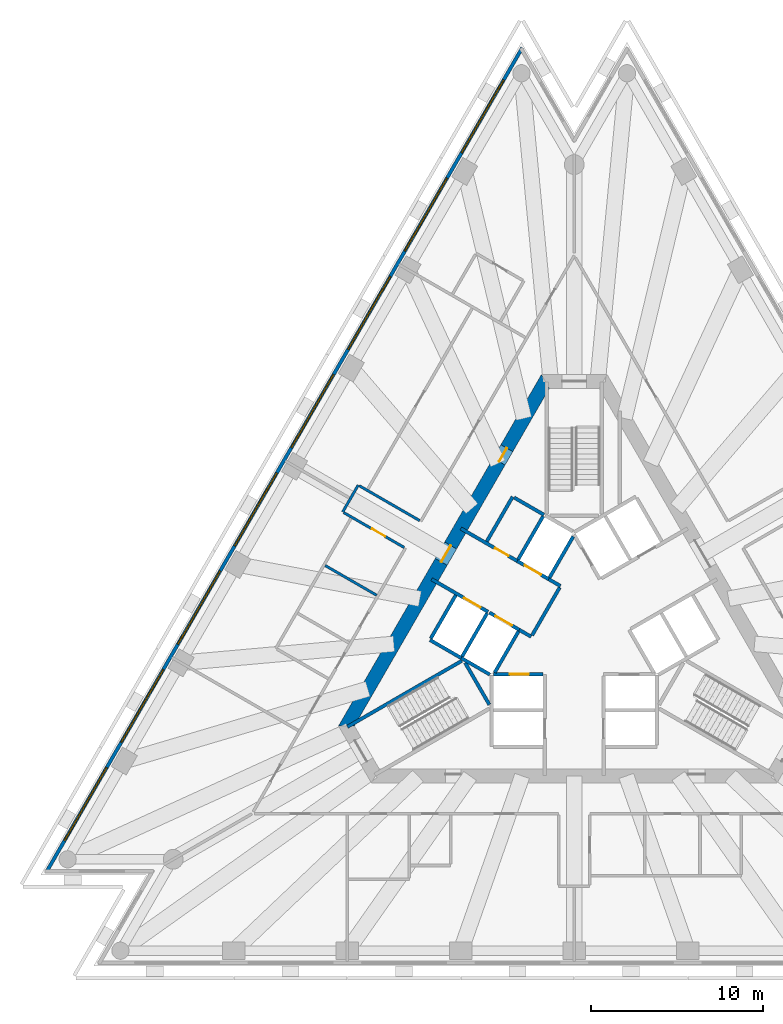
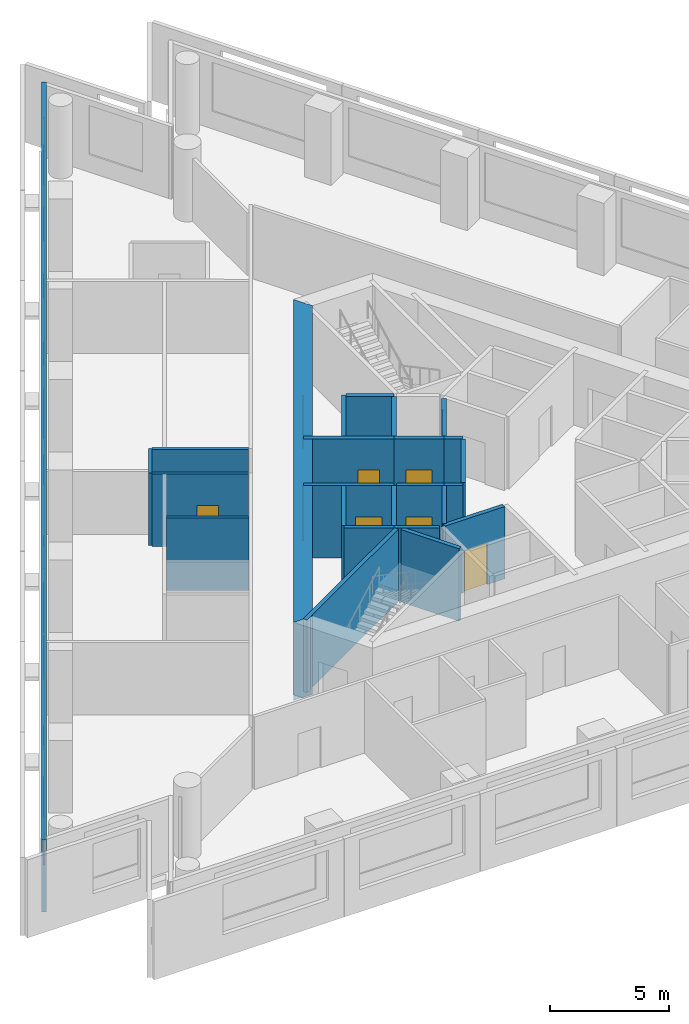
# One storey, part 4 of 10: 25 walls, 8 doors, 8 windows, 16 openings.
"""IFC4 building model written with IfcOpenShell, lengths in metres."""

from ifc_helpers import new_model, si_unit, direction, frame, frame_2d, origin, place, context, subcontext, project, spatial, polyline, rectangle, outline, extrude, material, layer, layer_set, layer_usage, type_object, element, fill, save


model = new_model("IFC4")

# Units and contexts
model_context = context("Model", 3, precision=1e-05, world=origin(), true_north=direction((0.0, 1.0)))
body_context = subcontext(model_context, "Body", "Model", "MODEL_VIEW")
ifc_project = project(units=[si_unit("LENGTHUNIT", "METRE"), si_unit("AREAUNIT", "SQUARE_METRE"), si_unit("VOLUMEUNIT", "CUBIC_METRE"), si_unit("PLANEANGLEUNIT", "RADIAN"), si_unit("MASSUNIT", "GRAM", prefix="KILO")], contexts=[model_context])

# Site, building, storey
site_placement = place(None, origin())
site = spatial("IfcSite", under=ifc_project, at=site_placement, CompositionType="ELEMENT")
building_placement = place(site_placement, origin())
building = spatial("IfcBuilding", under=site, at=building_placement, Name="Triada Interchange Tower", CompositionType="ELEMENT")
storey_placement = place(building_placement, frame((0.0, 0.0, 156.300048828125)))
storey = spatial("IfcBuildingStorey", under=building, at=storey_placement, Name="L36", CompositionType="ELEMENT", Elevation=156.300048828125)

# Walls
ifc_material_1 = material(Name="Concrete C30/37", Category="concrete")
ifc_layer_1 = layer(ifc_material_1, 0.199951171875)
ifc_layer_set_1 = layer_set([ifc_layer_1], Name="CORE WALL 200 EI 120")
wall_type_1 = type_object("IfcWallType", Name="CORE WALL 200 EI 120", PredefinedType="SOLIDWALL", material=ifc_layer_set_1)
wall_1_placement = place(storey_placement, frame((-8.3759765625, -0.70703125, 0.0), z_axis=(0.0, 0.0, 1.0), x_axis=(0.866067520717, -0.499927044236, 0.0)))
element("IfcWall", 1, at=wall_1_placement, inside=storey, type_object=wall_type_1, Name="Wall L35 51", PredefinedType="SOLIDWALL", context=body_context, shape_type="SweptSolid", body=[
    extrude(rectangle(XDim=2.100341796875, YDim=0.199951171875, at=frame_2d((1.05029296875, 0.0))), origin(), (0.0, 0.0, 1.0), 3.699951171875),
])
wall_2_placement = place(storey_placement, frame((-8.325927734375, -0.6201171875, 0.0), z_axis=(0.0, 0.0, 1.0), x_axis=(0.500023687443, 0.866011727401, 0.0)))
element("IfcWall", 2, at=wall_2_placement, inside=storey, type_object=wall_type_1, Name="Wall L35 52", PredefinedType="SOLIDWALL", context=body_context, shape_type="SweptSolid", body=[
    extrude(rectangle(XDim=2.899658203125, YDim=0.199951171875, at=frame_2d((1.44970703125, 0.0))), origin(), (0.0, 0.0, 1.0), 3.699951171875),
])

# Wall, opening, door
wall_3_placement = place(storey_placement, frame((-4.676025390625, -2.699951171875, 0.0), z_axis=(0.0, 0.0, 1.0), x_axis=(1.0, 0.0, 0.0)))
wall_3 = element("IfcWall", 3, at=wall_3_placement, inside=storey, type_object=wall_type_1, Name="Wall L35 59", PredefinedType="SOLIDWALL", context=body_context, shape_type="SweptSolid", body=[
    extrude(rectangle(XDim=2.873046875, YDim=0.199951171875, at=frame_2d((1.4365234375, 0.0))), origin(), (0.0, 0.0, 1.0), 3.699951171875),
])
opening_1_placement = place(wall_3_placement, frame((0.93701171875, 0.0, 0.0)))
opening_1 = element("IfcOpeningElement", 4, at=opening_1_placement, cuts=wall_3, Name="Opening LD-LR3", PredefinedType="OPENING", context=body_context, shape_type="SweptSolid", body=[
    extrude(rectangle(XDim=1.10009765625, YDim=2.10009765625, at=frame_2d((0.550048828125, 1.050048828125))), frame((0.0, 0.10986328125, 0.0), z_axis=(0.0, -1.0, 0.0), x_axis=(1.0, 0.0, 0.0)), (0.0, 0.0, 1.0), 0.219970703125),
])
ifc_material_2 = material(Name="Steel S235 door leaf", Category="steel")
door_type_1 = type_object("IfcDoorType", Name="LIFT LANDING DOOR 1100 EI 120", OperationType="SLIDING_TO_LEFT", PredefinedType="DOOR", material=ifc_material_2)
door_1_placement = place(opening_1_placement, origin())
door_1 = element("IfcDoor", 5, at=door_1_placement, inside=storey, type_object=door_type_1, Name="LR3 landing door L36", OperationType="SLIDING_TO_LEFT", OverallHeight=2.10009765625, OverallWidth=1.10009765625, PredefinedType="DOOR", context=body_context, shape_type="SweptSolid", body=[
    extrude(rectangle(XDim=1.10009765625, YDim=2.10009765625, at=frame_2d((0.550048828125, 1.050048828125))), frame((0.0, 0.02490234375, 0.0), z_axis=(0.0, -1.0, 0.0), x_axis=(1.0, 0.0, 0.0)), (0.0, 0.0, 1.0), 0.050048828125),
])
fill(opening_1, door_1)

ifc_layer_2 = layer(ifc_material_1, 0.199951171875)
ifc_layer_set_2 = layer_set([ifc_layer_2], Name="CORE WALL 200 EI 180")
wall_type_2 = type_object("IfcWallType", Name="CORE WALL 200 EI 180", PredefinedType="SOLIDWALL", material=ifc_layer_set_2)
wall_4_placement = place(storey_placement, frame((-8.280029296875, 2.818115234375, 0.0), z_axis=(0.0, 0.0, 1.0), x_axis=(0.86600175068, -0.50004096614, 0.0)))
wall_4 = element("IfcWall", 6, at=wall_4_placement, inside=storey, type_object=wall_type_2, Name="Wall L35 73", PredefinedType="SOLIDWALL", context=body_context, shape_type="SweptSolid", body=[
    extrude(rectangle(XDim=3.781982421875, YDim=0.199951171875, at=frame_2d((1.89111328125, 0.0))), origin(), (0.0, 0.0, 1.0), 3.699951171875),
])
opening_2_placement = place(wall_4_placement, frame((2.179931640625, 0.0, 0.0)))
opening_2 = element("IfcOpeningElement", 7, at=opening_2_placement, cuts=wall_4, Name="Opening LD-SV1", PredefinedType="OPENING", context=body_context, shape_type="SweptSolid", body=[
    extrude(rectangle(XDim=1.10009765625, YDim=2.10009765625, at=frame_2d((0.550048828125, 1.050048828125))), frame((0.0, 0.10986328125, 0.0), z_axis=(0.0, -1.0, 0.0), x_axis=(1.0, 0.0, 0.0)), (0.0, 0.0, 1.0), 0.219970703125),
])
door_2_placement = place(opening_2_placement, origin())
door_2 = element("IfcDoor", 8, at=door_2_placement, inside=storey, type_object=door_type_1, Name="SV1 landing door L36", OperationType="SLIDING_TO_LEFT", OverallHeight=2.10009765625, OverallWidth=1.10009765625, PredefinedType="DOOR", context=body_context, shape_type="SweptSolid", body=[
    extrude(rectangle(XDim=1.10009765625, YDim=2.10009765625, at=frame_2d((0.550048828125, 1.050048828125))), frame((0.0, 0.02490234375, 0.0), z_axis=(0.0, -1.0, 0.0), x_axis=(1.0, 0.0, 0.0)), (0.0, 0.0, 1.0), 0.050048828125),
])
fill(opening_2, door_2)

# Wall
wall_5_placement = place(storey_placement, frame((-3.18798828125, -0.1220703125, 0.0), z_axis=(0.0, 0.0, 1.0), x_axis=(0.865705793592, -0.50055317294, 0.0)))
element("IfcWall", 9, at=wall_5_placement, inside=storey, type_object=wall_type_2, Name="Wall L35 74", PredefinedType="SOLIDWALL", context=body_context, shape_type="SweptSolid", body=[
    extrude(rectangle(XDim=0.796875, YDim=0.199951171875, at=frame_2d((0.3984375, 0.0))), origin(), (0.0, 0.0, 1.0), 3.699951171875),
])

# Wall, opening, door
wall_6_placement = place(storey_placement, frame((-6.580078125, 5.761962890625, 0.0), z_axis=(0.0, 0.0, 1.0), x_axis=(0.866029704776, -0.49999255039, 0.0)))
wall_6 = element("IfcWall", 10, at=wall_6_placement, inside=storey, type_object=wall_type_2, Name="Wall L35 75", PredefinedType="SOLIDWALL", context=body_context, shape_type="SweptSolid", body=[
    extrude(rectangle(XDim=3.78173828125, YDim=0.199951171875, at=frame_2d((1.890869140625, 0.0))), origin(), (0.0, 0.0, 1.0), 3.699951171875),
])
opening_3_placement = place(wall_6_placement, frame((2.279052734375, 0.0, 0.0)))
opening_3 = element("IfcOpeningElement", 11, at=opening_3_placement, cuts=wall_6, Name="Opening D35-10", PredefinedType="OPENING", context=body_context, shape_type="SweptSolid", body=[
    extrude(rectangle(XDim=0.89990234375, YDim=2.10009765625, at=frame_2d((0.449951171875, 1.050048828125))), frame((0.0, 0.10986328125, 0.0), z_axis=(0.0, -1.0, 0.0), x_axis=(1.0, 0.0, 0.0)), (0.0, 0.0, 1.0), 0.219970703125),
])
door_type_2 = type_object("IfcDoorType", Name="SERVICE DOOR 900 EI2 90-C5S200", OperationType="NOTDEFINED", PredefinedType="DOOR", material=ifc_material_2)
door_3_placement = place(opening_3_placement, origin())
door_3 = element("IfcDoor", 12, at=door_3_placement, inside=storey, type_object=door_type_2, Name="Door D35-10 L36", OperationType="SINGLE_SWING_LEFT", OverallHeight=2.10009765625, OverallWidth=0.89990234375, PredefinedType="DOOR", context=body_context, shape_type="SweptSolid", body=[
    extrude(rectangle(XDim=0.89990234375, YDim=2.10009765625, at=frame_2d((0.449951171875, 1.050048828125))), frame((0.0, 0.02490234375, 0.0), z_axis=(0.0, -1.0, 0.0), x_axis=(1.0, 0.0, 0.0)), (0.0, 0.0, 1.0), 0.050048828125),
])
fill(opening_3, door_3)

# Walls
wall_7_placement = place(storey_placement, frame((-1.488037109375, 2.822021484375, 0.0), z_axis=(0.0, 0.0, 1.0), x_axis=(0.866236612152, -0.499633997809, 0.0)))
element("IfcWall", 13, at=wall_7_placement, inside=storey, type_object=wall_type_2, Name="Wall L35 76", PredefinedType="SOLIDWALL", context=body_context, shape_type="SweptSolid", body=[
    extrude(rectangle(XDim=0.79638671875, YDim=0.199951171875, at=frame_2d((0.398193359375, 0.0))), origin(), (0.0, 0.0, 1.0), 3.699951171875),
])
wall_8_placement = place(storey_placement, frame((-5.075927734375, 5.009033203125, 0.0), z_axis=(0.0, 0.0, 1.0), x_axis=(0.50002537861, 0.866010750942, 0.0)))
element("IfcWall", 14, at=wall_8_placement, inside=storey, type_object=wall_type_2, Name="Wall L35 77", PredefinedType="SOLIDWALL", context=body_context, shape_type="SweptSolid", body=[
    extrude(rectangle(XDim=2.999755859375, YDim=0.199951171875, at=frame_2d((1.5, 0.0))), origin(), (0.0, 0.0, 1.0), 3.699951171875),
])
wall_9_placement = place(storey_placement, frame((-3.489013671875, 7.556884765625, 0.0), z_axis=(0.0, 0.0, 1.0), x_axis=(0.866010750942, -0.50002537861, 0.0)))
element("IfcWall", 15, at=wall_9_placement, inside=storey, type_object=wall_type_2, Name="Wall L35 78", PredefinedType="SOLIDWALL", context=body_context, shape_type="SweptSolid", body=[
    extrude(rectangle(XDim=2.0, YDim=0.199951171875, at=frame_2d((1.0, 0.0))), origin(), (0.0, 0.0, 1.0), 3.699951171875),
])
wall_10_placement = place(storey_placement, frame((-2.444091796875, -0.43310546875, 0.0), z_axis=(0.0, 0.0, 1.0), x_axis=(0.500035624827, 0.866004834804, 0.0)))
element("IfcWall", 16, at=wall_10_placement, inside=storey, type_object=wall_type_2, Name="Wall L35 79", PredefinedType="SOLIDWALL", context=body_context, shape_type="SweptSolid", body=[
    extrude(rectangle(XDim=3.194091796875, YDim=0.199951171875, at=frame_2d((1.59716796875, 0.0))), origin(), (0.0, 0.0, 1.0), 3.699951171875),
])
wall_11_placement = place(storey_placement, frame((-6.556884765625, -1.757080078125, 0.0), z_axis=(0.0, 0.0, 1.0), x_axis=(0.8659754619, -0.500086491905, 0.0)))
element("IfcWall", 17, at=wall_11_placement, inside=storey, type_object=wall_type_2, Name="Shaft wall FF1 L35 80", PredefinedType="SOLIDWALL", context=body_context, shape_type="SweptSolid", body=[
    extrude(rectangle(XDim=1.915771484375, YDim=0.199951171875, at=frame_2d((0.9580078125, 0.0))), origin(), (0.0, 0.0, 1.0), 3.699951171875),
])
wall_12_placement = place(storey_placement, frame((-6.507080078125, -1.669921875, 0.0), z_axis=(0.0, 0.0, 1.0), x_axis=(0.50012328804, 0.865954211699, 0.0)))
element("IfcWall", 18, at=wall_12_placement, inside=storey, type_object=wall_type_2, Name="Shaft wall FF1 L35 81", PredefinedType="SOLIDWALL", context=body_context, shape_type="SweptSolid", body=[
    extrude(rectangle(XDim=2.899658203125, YDim=0.199951171875, at=frame_2d((1.44970703125, 0.0))), origin(), (0.0, 0.0, 1.0), 3.699951171875),
])

# Wall, opening, door
wall_13_placement = place(storey_placement, frame((-4.919921875, 0.8779296875, 0.0), z_axis=(0.0, 0.0, 1.0), x_axis=(0.866010750942, -0.50002537861, 0.0)))
wall_13 = element("IfcWall", 19, at=wall_13_placement, inside=storey, type_object=wall_type_2, Name="Shaft wall FF1 L35 82", PredefinedType="SOLIDWALL", context=body_context, shape_type="SweptSolid", body=[
    extrude(rectangle(XDim=2.0, YDim=0.199951171875, at=frame_2d((1.0, 0.0))), origin(), (0.0, 0.0, 1.0), 3.699951171875),
])
opening_4_placement = place(wall_13_placement, frame((0.39990234375, 0.0, 0.0)))
opening_4 = element("IfcOpeningElement", 20, at=opening_4_placement, cuts=wall_13, Name="Opening LD-FF1", PredefinedType="OPENING", context=body_context, shape_type="SweptSolid", body=[
    extrude(rectangle(XDim=1.10009765625, YDim=2.10009765625, at=frame_2d((0.550048828125, 1.050048828125))), frame((0.0, 0.10986328125, 0.0), z_axis=(0.0, -1.0, 0.0), x_axis=(1.0, 0.0, 0.0)), (0.0, 0.0, 1.0), 0.219970703125),
])
door_4_placement = place(opening_4_placement, origin())
door_4 = element("IfcDoor", 21, at=door_4_placement, inside=storey, type_object=door_type_1, Name="FF1 landing door L36", OperationType="SLIDING_TO_LEFT", OverallHeight=2.10009765625, OverallWidth=1.10009765625, PredefinedType="DOOR", context=body_context, shape_type="SweptSolid", body=[
    extrude(rectangle(XDim=1.10009765625, YDim=2.10009765625, at=frame_2d((0.550048828125, 1.050048828125))), frame((0.0, 0.02490234375, 0.0), z_axis=(0.0, -1.0, 0.0), x_axis=(1.0, 0.0, 0.0)), (0.0, 0.0, 1.0), 0.050048828125),
])
fill(opening_4, door_4)

# Wall
wall_14_placement = place(storey_placement, frame((-4.618896484375, -2.60009765625, 0.0), z_axis=(0.0, 0.0, 1.0), x_axis=(0.50009492287, 0.865970593103, 0.0)))
element("IfcWall", 22, at=wall_14_placement, inside=storey, type_object=wall_type_2, Name="Shaft wall FF1 L35 83", PredefinedType="SOLIDWALL", context=body_context, shape_type="SweptSolid", body=[
    extrude(rectangle(XDim=2.76123046875, YDim=0.199951171875, at=frame_2d((1.380615234375, 0.0))), origin(), (0.0, 0.0, 1.0), 3.699951171875),
])

# Wall, opening, door
wall_15_placement = place(storey_placement, frame((-3.30908203125, 3.873046875, 0.0), z_axis=(0.0, 0.0, 1.0), x_axis=(0.866098583652, -0.499873227325, 0.0)))
wall_15 = element("IfcWall", 23, at=wall_15_placement, inside=storey, type_object=wall_type_2, Name="Shaft wall FF2 L35 84", PredefinedType="SOLIDWALL", context=body_context, shape_type="SweptSolid", body=[
    extrude(rectangle(XDim=2.1025390625, YDim=0.199951171875, at=frame_2d((1.05126953125, 0.0))), origin(), (0.0, 0.0, 1.0), 3.699951171875),
])
opening_5_placement = place(wall_15_placement, frame((0.501953125, 0.0, 0.0)))
opening_5 = element("IfcOpeningElement", 24, at=opening_5_placement, cuts=wall_15, Name="Opening LD-FF2", PredefinedType="OPENING", context=body_context, shape_type="SweptSolid", body=[
    extrude(rectangle(XDim=1.10009765625, YDim=2.10009765625, at=frame_2d((0.550048828125, 1.050048828125))), frame((0.0, 0.10986328125, 0.0), z_axis=(0.0, -1.0, 0.0), x_axis=(1.0, 0.0, 0.0)), (0.0, 0.0, 1.0), 0.219970703125),
])
door_5_placement = place(opening_5_placement, origin())
door_5 = element("IfcDoor", 25, at=door_5_placement, inside=storey, type_object=door_type_1, Name="FF2 landing door L36", OperationType="SLIDING_TO_LEFT", OverallHeight=2.10009765625, OverallWidth=1.10009765625, PredefinedType="DOOR", context=body_context, shape_type="SweptSolid", body=[
    extrude(rectangle(XDim=1.10009765625, YDim=2.10009765625, at=frame_2d((0.550048828125, 1.050048828125))), frame((0.0, 0.02490234375, 0.0), z_axis=(0.0, -1.0, 0.0), x_axis=(1.0, 0.0, 0.0)), (0.0, 0.0, 1.0), 0.050048828125),
])
fill(opening_5, door_5)

# Walls
wall_16_placement = place(storey_placement, frame((-3.257080078125, 3.958984375, 0.0), z_axis=(0.0, 0.0, 1.0), x_axis=(0.50012328804, 0.865954211699, 0.0)))
element("IfcWall", 26, at=wall_16_placement, inside=storey, type_object=wall_type_2, Name="Shaft wall FF2 L35 85", PredefinedType="SOLIDWALL", context=body_context, shape_type="SweptSolid", body=[
    extrude(rectangle(XDim=2.899658203125, YDim=0.199951171875, at=frame_2d((1.44970703125, 0.0))), origin(), (0.0, 0.0, 1.0), 3.699951171875),
])
wall_17_placement = place(storey_placement, frame((-1.43798828125, 2.908935546875, 0.0), z_axis=(0.0, 0.0, 1.0), x_axis=(0.499829630636, 0.866123744241, 0.0)))
element("IfcWall", 27, at=wall_17_placement, inside=storey, type_object=wall_type_2, Name="Shaft wall FF2 L35 87", PredefinedType="SOLIDWALL", context=body_context, shape_type="SweptSolid", body=[
    extrude(rectangle(XDim=2.7607421875, YDim=0.199951171875, at=frame_2d((1.38037109375, 0.0))), origin(), (0.0, 0.0, 1.0), 3.699951171875),
])
ifc_layer_3 = layer(ifc_material_1, 0.199951171875)
ifc_layer_set_3 = layer_set([ifc_layer_3], Name="CORE WALL 200 REI 240")
wall_type_3 = type_object("IfcWallType", Name="CORE WALL 200 REI 240", PredefinedType="SOLIDWALL", material=ifc_layer_set_3)
wall_18_placement = place(storey_placement, frame((-13.1669921875, -5.75390625, 0.0), z_axis=(0.0, 0.0, 1.0), x_axis=(0.866060938598, 0.499938446846, 0.0)))
element("IfcWall", 28, at=wall_18_placement, inside=storey, type_object=wall_type_3, Name="Wall L35 89", PredefinedType="SOLIDWALL", context=body_context, shape_type="SweptSolid", body=[
    extrude(rectangle(XDim=7.66455078125, YDim=0.199951171875, at=frame_2d((3.832275390625, 0.0))), origin(), (0.0, 0.0, 1.0), 3.699951171875),
])
wall_19_placement = place(storey_placement, frame((-6.3291015625, -2.0380859375, 0.0), z_axis=(0.0, 0.0, 1.0), x_axis=(0.500200581029, -0.865909567298, 0.0)))
element("IfcWall", 29, at=wall_19_placement, inside=storey, type_object=wall_type_3, Name="Wall L35 90", PredefinedType="SOLIDWALL", context=body_context, shape_type="SweptSolid", body=[
    extrude(rectangle(XDim=2.799072265625, YDim=0.199951171875, at=frame_2d((1.3994140625, 0.0))), origin(), (0.0, 0.0, 1.0), 3.699951171875),
])

# Wall, openings, doors
ifc_material_3 = material(Name="Concrete C60/75", Category="concrete")
ifc_layer_4 = layer(ifc_material_3, 0.800048828125)
ifc_layer_set_4 = layer_set([ifc_layer_4], Name="Core wall B 800")
wall_type_4 = type_object("IfcWallType", Name="Core wall B 800", PredefinedType="SHEAR", material=ifc_layer_set_4)
wall_20_placement = place(storey_placement, frame((-1.674072265625, 14.300048828125, -0.300048828125), z_axis=(0.0, 0.0, 1.0), x_axis=(-0.499995765644, -0.866027848477, 0.0)))
wall_20 = element("IfcWall", 30, at=wall_20_placement, inside=storey, type_object=wall_type_4, Name="Core wall WB02 L36", PredefinedType="SHEAR", context=body_context, shape_type="SweptSolid", body=[
    extrude(outline(polyline([(-0.23095703125, -0.39990234375), (1.73193359375, -0.39990234375), (3.695068359375, -0.39990234375), (5.657958984375, -0.39990234375), (7.62109375, -0.39990234375), (9.583984375, -0.39990234375), (11.546875, -0.39990234375), (13.510009765625, -0.39990234375), (15.472900390625, -0.39990234375), (17.43603515625, -0.39990234375), (19.39892578125, -0.39990234375), (21.362060546875, -0.39990234375), (23.324951171875, -0.39990234375), (22.863037109375, 0.39990234375), (20.97705078125, 0.39990234375), (19.091064453125, 0.39990234375), (17.205078125, 0.39990234375), (15.319091796875, 0.39990234375), (13.43310546875, 0.39990234375), (11.546875, 0.39990234375), (9.660888671875, 0.39990234375), (7.77490234375, 0.39990234375), (5.888916015625, 0.39990234375), (4.0029296875, 0.39990234375), (2.116943359375, 0.39990234375), (0.23095703125, 0.39990234375), (-0.23095703125, -0.39990234375)])), origin(), (0.0, 0.0, 1.0), 4.0),
])
opening_6_placement = place(wall_20_placement, frame((10.9970703125, 0.0, 0.300048828125)))
opening_6 = element("IfcOpeningElement", 31, at=opening_6_placement, cuts=wall_20, Name="Opening D35-40", PredefinedType="OPENING", context=body_context, shape_type="SweptSolid", body=[
    extrude(rectangle(XDim=1.10009765625, YDim=2.10009765625, at=frame_2d((0.550048828125, 1.050048828125))), frame((0.0, 0.409912109375, 0.0), z_axis=(0.0, -1.0, 0.0), x_axis=(1.0, 0.0, 0.0)), (0.0, 0.0, 1.0), 0.820068359375),
])
opening_7_placement = place(wall_20_placement, frame((4.47412109375, 0.0, 0.300048828125)))
opening_7 = element("IfcOpeningElement", 32, at=opening_7_placement, cuts=wall_20, Name="Opening D35-42", PredefinedType="OPENING", context=body_context, shape_type="SweptSolid", body=[
    extrude(rectangle(XDim=0.89990234375, YDim=2.10009765625, at=frame_2d((0.449951171875, 1.050048828125))), frame((0.0, 0.409912109375, 0.0), z_axis=(0.0, -1.0, 0.0), x_axis=(1.0, 0.0, 0.0)), (0.0, 0.0, 1.0), 0.820068359375),
])
door_type_3 = type_object("IfcDoorType", Name="FIRE LOBBY DOOR 1100 EI2 90-C5S200", OperationType="NOTDEFINED", PredefinedType="DOOR", material=ifc_material_2)
door_6_placement = place(opening_6_placement, origin())
door_6 = element("IfcDoor", 33, at=door_6_placement, inside=storey, type_object=door_type_3, Name="Door D35-40 L36", OperationType="SINGLE_SWING_LEFT", OverallHeight=2.10009765625, OverallWidth=1.10009765625, PredefinedType="DOOR", context=body_context, shape_type="SweptSolid", body=[
    extrude(rectangle(XDim=1.10009765625, YDim=2.10009765625, at=frame_2d((0.550048828125, 1.050048828125))), frame((0.0, 0.02490234375, 0.0), z_axis=(0.0, -1.0, 0.0), x_axis=(1.0, 0.0, 0.0)), (0.0, 0.0, 1.0), 0.050048828125),
])
fill(opening_6, door_6)
door_type_4 = type_object("IfcDoorType", Name="RISER ACCESS DOOR 900 EI2 45-C5S200", OperationType="NOTDEFINED", PredefinedType="DOOR", material=ifc_material_2)
door_7_placement = place(opening_7_placement, origin())
door_7 = element("IfcDoor", 34, at=door_7_placement, inside=storey, type_object=door_type_4, Name="Door D35-42 L36", OperationType="SINGLE_SWING_RIGHT", OverallHeight=2.10009765625, OverallWidth=0.89990234375, PredefinedType="DOOR", context=body_context, shape_type="SweptSolid", body=[
    extrude(rectangle(XDim=0.89990234375, YDim=2.10009765625, at=frame_2d((0.449951171875, 1.050048828125))), frame((0.0, 0.02490234375, 0.0), z_axis=(0.0, -1.0, 0.0), x_axis=(1.0, 0.0, 0.0)), (0.0, 0.0, 1.0), 0.050048828125),
])
fill(opening_7, door_7)

# Wall, openings, windows
ifc_material_4 = material(Name="Cement board")
ifc_layer_5 = layer(ifc_material_4, 0.02001953125, Name="Cement board cladding")
ifc_material_5 = material(Name="Sheathing board")
ifc_layer_6 = layer(ifc_material_5, 0.014892578125, Name="Sheathing board")
ifc_material_6 = material(Name="Mineral wool")
ifc_layer_7 = layer(ifc_material_6, 0.14990234375, Name="Mineral wool between steel studs")
ifc_material_7 = material(Name="Gypsum board")
ifc_layer_8 = layer(ifc_material_7, 0.014892578125, Name="Plasterboard lining")
ifc_layer_set_5 = layer_set([ifc_layer_5, ifc_layer_6, ifc_layer_7, ifc_layer_8], Name="External wall 200")
ifc_layer_usage = layer_usage(ifc_layer_set_5, "AXIS2", "POSITIVE", -0.10009765625)
wall_type_5 = type_object("IfcWallType", Name="External wall 200", PredefinedType="ELEMENTEDWALL", material=ifc_layer_set_5)
wall_21_placement = place(storey_placement, frame((-3.01806640625, 33.666015625, 0.0), z_axis=(0.0, 0.0, 1.0), x_axis=(-0.499984613623, -0.866034286931, 0.0)))
wall_21 = element("IfcWall", 35, at=wall_21_placement, inside=storey, type_object=wall_type_5, material=ifc_layer_usage, Name="External wall L36 NW", PredefinedType="ELEMENTEDWALL", context=body_context, shape_type="SweptSolid", body=[
    extrude(rectangle(XDim=55.273681640625, YDim=0.199951171875, at=frame_2d((27.63671875, 0.0))), origin(), (0.0, 0.0, 1.0), 3.699951171875),
])
opening_8_placement = place(wall_21_placement, frame((2.14501953125, 0.0, 0.89990234375)))
opening_8 = element("IfcOpeningElement", 36, at=opening_8_placement, cuts=wall_21, Name="Opening WB01", PredefinedType="OPENING", context=body_context, shape_type="SweptSolid", body=[
    extrude(rectangle(XDim=4.89990234375, YDim=2.5, at=frame_2d((2.449951171875, 1.25))), frame((0.0, 0.10986328125, 0.0), z_axis=(0.0, -1.0, 0.0), x_axis=(1.0, 0.0, 0.0)), (0.0, 0.0, 1.0), 0.219970703125),
])
opening_9_placement = place(wall_21_placement, frame((8.73095703125, 0.0, 0.89990234375)))
opening_9 = element("IfcOpeningElement", 37, at=opening_9_placement, cuts=wall_21, Name="Opening WB02", PredefinedType="OPENING", context=body_context, shape_type="SweptSolid", body=[
    extrude(rectangle(XDim=4.89990234375, YDim=2.5, at=frame_2d((2.449951171875, 1.25))), frame((0.0, 0.10986328125, 0.0), z_axis=(0.0, -1.0, 0.0), x_axis=(1.0, 0.0, 0.0)), (0.0, 0.0, 1.0), 0.219970703125),
])
opening_10_placement = place(wall_21_placement, frame((15.318115234375, 0.0, 0.89990234375)))
opening_10 = element("IfcOpeningElement", 38, at=opening_10_placement, cuts=wall_21, Name="Opening WB03", PredefinedType="OPENING", context=body_context, shape_type="SweptSolid", body=[
    extrude(rectangle(XDim=4.89990234375, YDim=2.5, at=frame_2d((2.449951171875, 1.25))), frame((0.0, 0.10986328125, 0.0), z_axis=(0.0, -1.0, 0.0), x_axis=(1.0, 0.0, 0.0)), (0.0, 0.0, 1.0), 0.219970703125),
])
opening_11_placement = place(wall_21_placement, frame((21.904052734375, 0.0, 0.89990234375)))
opening_11 = element("IfcOpeningElement", 39, at=opening_11_placement, cuts=wall_21, Name="Opening WB04", PredefinedType="OPENING", context=body_context, shape_type="SweptSolid", body=[
    extrude(rectangle(XDim=4.89990234375, YDim=2.5, at=frame_2d((2.449951171875, 1.25))), frame((0.0, 0.10986328125, 0.0), z_axis=(0.0, -1.0, 0.0), x_axis=(1.0, 0.0, 0.0)), (0.0, 0.0, 1.0), 0.219970703125),
])
opening_12_placement = place(wall_21_placement, frame((28.489990234375, 0.0, 0.89990234375)))
opening_12 = element("IfcOpeningElement", 40, at=opening_12_placement, cuts=wall_21, Name="Opening WB05", PredefinedType="OPENING", context=body_context, shape_type="SweptSolid", body=[
    extrude(rectangle(XDim=4.89990234375, YDim=2.5, at=frame_2d((2.449951171875, 1.25))), frame((0.0, 0.10986328125, 0.0), z_axis=(0.0, -1.0, 0.0), x_axis=(1.0, 0.0, 0.0)), (0.0, 0.0, 1.0), 0.219970703125),
])
opening_13_placement = place(wall_21_placement, frame((35.075927734375, 0.0, 0.89990234375)))
opening_13 = element("IfcOpeningElement", 41, at=opening_13_placement, cuts=wall_21, Name="Opening WB06", PredefinedType="OPENING", context=body_context, shape_type="SweptSolid", body=[
    extrude(rectangle(XDim=4.89990234375, YDim=2.5, at=frame_2d((2.449951171875, 1.25))), frame((0.0, 0.10986328125, 0.0), z_axis=(0.0, -1.0, 0.0), x_axis=(1.0, 0.0, 0.0)), (0.0, 0.0, 1.0), 0.219970703125),
])
opening_14_placement = place(wall_21_placement, frame((41.662109375, 0.0, 0.89990234375)))
opening_14 = element("IfcOpeningElement", 42, at=opening_14_placement, cuts=wall_21, Name="Opening WB07", PredefinedType="OPENING", context=body_context, shape_type="SweptSolid", body=[
    extrude(rectangle(XDim=4.89990234375, YDim=2.5, at=frame_2d((2.449951171875, 1.25))), frame((0.0, 0.10986328125, 0.0), z_axis=(0.0, -1.0, 0.0), x_axis=(1.0, 0.0, 0.0)), (0.0, 0.0, 1.0), 0.219970703125),
])
opening_15_placement = place(wall_21_placement, frame((48.248046875, 0.0, 0.89990234375)))
opening_15 = element("IfcOpeningElement", 43, at=opening_15_placement, cuts=wall_21, Name="Opening WB08", PredefinedType="OPENING", context=body_context, shape_type="SweptSolid", body=[
    extrude(rectangle(XDim=4.89990234375, YDim=2.5, at=frame_2d((2.449951171875, 1.25))), frame((0.0, 0.10986328125, 0.0), z_axis=(0.0, -1.0, 0.0), x_axis=(1.0, 0.0, 0.0)), (0.0, 0.0, 1.0), 0.219970703125),
])
ifc_material_8 = material(Name="Double glazed aluminium window", Category="aluminium")
window_type = type_object("IfcWindowType", Name="Ribbon window B face", PartitioningType="SINGLE_PANEL", PredefinedType="WINDOW", material=ifc_material_8)
window_1_placement = place(opening_8_placement, origin())
window_1 = element("IfcWindow", 44, at=window_1_placement, inside=storey, type_object=window_type, Name="Window L36 NW 1", OverallHeight=2.5, OverallWidth=4.89990234375, PartitioningType="SINGLE_PANEL", PredefinedType="WINDOW", context=body_context, shape_type="SweptSolid", body=[
    extrude(rectangle(XDim=4.89990234375, YDim=2.5, at=frame_2d((2.449951171875, 1.25))), frame((0.0, 0.030029296875, 0.0), z_axis=(0.0, -1.0, 0.0), x_axis=(1.0, 0.0, 0.0)), (0.0, 0.0, 1.0), 0.06005859375),
])
fill(opening_8, window_1)
window_2_placement = place(opening_9_placement, origin())
window_2 = element("IfcWindow", 45, at=window_2_placement, inside=storey, type_object=window_type, Name="Window L36 NW 2", OverallHeight=2.5, OverallWidth=4.89990234375, PartitioningType="SINGLE_PANEL", PredefinedType="WINDOW", context=body_context, shape_type="SweptSolid", body=[
    extrude(rectangle(XDim=4.89990234375, YDim=2.5, at=frame_2d((2.449951171875, 1.25))), frame((0.0, 0.030029296875, 0.0), z_axis=(0.0, -1.0, 0.0), x_axis=(1.0, 0.0, 0.0)), (0.0, 0.0, 1.0), 0.06005859375),
])
fill(opening_9, window_2)
window_3_placement = place(opening_10_placement, origin())
window_3 = element("IfcWindow", 46, at=window_3_placement, inside=storey, type_object=window_type, Name="Window L36 NW 3", OverallHeight=2.5, OverallWidth=4.89990234375, PartitioningType="SINGLE_PANEL", PredefinedType="WINDOW", context=body_context, shape_type="SweptSolid", body=[
    extrude(rectangle(XDim=4.89990234375, YDim=2.5, at=frame_2d((2.449951171875, 1.25))), frame((0.0, 0.030029296875, 0.0), z_axis=(0.0, -1.0, 0.0), x_axis=(1.0, 0.0, 0.0)), (0.0, 0.0, 1.0), 0.06005859375),
])
fill(opening_10, window_3)
window_4_placement = place(opening_11_placement, origin())
window_4 = element("IfcWindow", 47, at=window_4_placement, inside=storey, type_object=window_type, Name="Window L36 NW 4", OverallHeight=2.5, OverallWidth=4.89990234375, PartitioningType="SINGLE_PANEL", PredefinedType="WINDOW", context=body_context, shape_type="SweptSolid", body=[
    extrude(rectangle(XDim=4.89990234375, YDim=2.5, at=frame_2d((2.449951171875, 1.25))), frame((0.0, 0.030029296875, 0.0), z_axis=(0.0, -1.0, 0.0), x_axis=(1.0, 0.0, 0.0)), (0.0, 0.0, 1.0), 0.06005859375),
])
fill(opening_11, window_4)
window_5_placement = place(opening_12_placement, origin())
window_5 = element("IfcWindow", 48, at=window_5_placement, inside=storey, type_object=window_type, Name="Window L36 NW 5", OverallHeight=2.5, OverallWidth=4.89990234375, PartitioningType="SINGLE_PANEL", PredefinedType="WINDOW", context=body_context, shape_type="SweptSolid", body=[
    extrude(rectangle(XDim=4.89990234375, YDim=2.5, at=frame_2d((2.449951171875, 1.25))), frame((0.0, 0.030029296875, 0.0), z_axis=(0.0, -1.0, 0.0), x_axis=(1.0, 0.0, 0.0)), (0.0, 0.0, 1.0), 0.06005859375),
])
fill(opening_12, window_5)
window_6_placement = place(opening_13_placement, origin())
window_6 = element("IfcWindow", 49, at=window_6_placement, inside=storey, type_object=window_type, Name="Window L36 NW 6", OverallHeight=2.5, OverallWidth=4.89990234375, PartitioningType="SINGLE_PANEL", PredefinedType="WINDOW", context=body_context, shape_type="SweptSolid", body=[
    extrude(rectangle(XDim=4.89990234375, YDim=2.5, at=frame_2d((2.449951171875, 1.25))), frame((0.0, 0.030029296875, 0.0), z_axis=(0.0, -1.0, 0.0), x_axis=(1.0, 0.0, 0.0)), (0.0, 0.0, 1.0), 0.06005859375),
])
fill(opening_13, window_6)
window_7_placement = place(opening_14_placement, origin())
window_7 = element("IfcWindow", 50, at=window_7_placement, inside=storey, type_object=window_type, Name="Window L36 NW 7", OverallHeight=2.5, OverallWidth=4.89990234375, PartitioningType="SINGLE_PANEL", PredefinedType="WINDOW", context=body_context, shape_type="SweptSolid", body=[
    extrude(rectangle(XDim=4.89990234375, YDim=2.5, at=frame_2d((2.449951171875, 1.25))), frame((0.0, 0.030029296875, 0.0), z_axis=(0.0, -1.0, 0.0), x_axis=(1.0, 0.0, 0.0)), (0.0, 0.0, 1.0), 0.06005859375),
])
fill(opening_14, window_7)
window_8_placement = place(opening_15_placement, origin())
window_8 = element("IfcWindow", 51, at=window_8_placement, inside=storey, type_object=window_type, Name="Window L36 NW 8", OverallHeight=2.5, OverallWidth=4.89990234375, PartitioningType="SINGLE_PANEL", PredefinedType="WINDOW", context=body_context, shape_type="SweptSolid", body=[
    extrude(rectangle(XDim=4.89990234375, YDim=2.5, at=frame_2d((2.449951171875, 1.25))), frame((0.0, 0.030029296875, 0.0), z_axis=(0.0, -1.0, 0.0), x_axis=(1.0, 0.0, 0.0)), (0.0, 0.0, 1.0), 0.06005859375),
])
fill(opening_15, window_8)

# Walls
ifc_material_9 = material(Name="Gypsum board partition")
ifc_layer_9 = layer(ifc_material_9, 0.14990234375)
ifc_layer_set_6 = layer_set([ifc_layer_9], Name="PARTITION 150 EI 180")
wall_type_6 = type_object("IfcWallType", Name="PARTITION 150 EI 180", PredefinedType="PARTITIONING", material=ifc_layer_set_6)
wall_22_placement = place(storey_placement, frame((-14.4560546875, 3.612060546875, 0.0), z_axis=(0.0, 0.0, 1.0), x_axis=(0.866031223622, -0.49998991961, 0.0)))
element("IfcWall", 52, at=wall_22_placement, inside=storey, type_object=wall_type_6, Name="Wall L35 13", PredefinedType="PARTITIONING", context=body_context, shape_type="SweptSolid", body=[
    extrude(rectangle(XDim=3.4501953125, YDim=0.14990234375, at=frame_2d((1.72509765625, 0.0))), origin(), (0.0, 0.0, 1.0), 3.699951171875),
])
wall_23_placement = place(storey_placement, frame((-13.43994140625, 6.720947265625, 0.0), z_axis=(0.0, 0.0, 1.0), x_axis=(0.499902469156, 0.866081705922, 0.0)))
element("IfcWall", 53, at=wall_23_placement, inside=storey, type_object=wall_type_6, Name="Wall L35 17", PredefinedType="PARTITIONING", context=body_context, shape_type="SweptSolid", body=[
    extrude(rectangle(XDim=1.800048828125, YDim=0.14990234375, at=frame_2d((0.89990234375, 0.0))), origin(), (0.0, 0.0, 1.0), 3.699951171875),
])
wall_24_placement = place(storey_placement, frame((-12.47509765625, 8.241943359375, 0.0), z_axis=(0.0, 0.0, 1.0), x_axis=(0.866060059865, -0.499939969103, 0.0)))
element("IfcWall", 54, at=wall_24_placement, inside=storey, type_object=wall_type_6, Name="Wall L35 18", PredefinedType="PARTITIONING", context=body_context, shape_type="SweptSolid", body=[
    extrude(rectangle(XDim=4.04833984375, YDim=0.14990234375, at=frame_2d((2.024169921875, 0.0))), origin(), (0.0, 0.0, 1.0), 3.699951171875),
])

# Wall, opening, door
wall_25_placement = place(storey_placement, frame((-13.375, 6.68310546875, 0.0), z_axis=(0.0, 0.0, 1.0), x_axis=(0.866033948129, -0.499985200469, 0.0)))
wall_25 = element("IfcWall", 55, at=wall_25_placement, inside=storey, type_object=wall_type_6, Name="Wall L35 19", PredefinedType="PARTITIONING", context=body_context, shape_type="SweptSolid", body=[
    extrude(rectangle(XDim=4.04833984375, YDim=0.14990234375, at=frame_2d((2.024169921875, 0.0))), origin(), (0.0, 0.0, 1.0), 3.699951171875),
])
opening_16_placement = place(wall_25_placement, frame((1.875, 0.0, 0.0)))
opening_16 = element("IfcOpeningElement", 56, at=opening_16_placement, cuts=wall_25, Name="Opening D35-32", PredefinedType="OPENING", context=body_context, shape_type="SweptSolid", body=[
    extrude(rectangle(XDim=0.89990234375, YDim=2.10009765625, at=frame_2d((0.449951171875, 1.050048828125))), frame((0.0, 0.0849609375, 0.0), z_axis=(0.0, -1.0, 0.0), x_axis=(1.0, 0.0, 0.0)), (0.0, 0.0, 1.0), 0.169921875),
])
door_type_5 = type_object("IfcDoorType", Name="ROOM DOOR 900 EI2 90-C5S200", OperationType="NOTDEFINED", PredefinedType="DOOR", material=ifc_material_2)
door_8_placement = place(opening_16_placement, origin())
door_8 = element("IfcDoor", 57, at=door_8_placement, inside=storey, type_object=door_type_5, Name="Door D35-32 L36", OperationType="SINGLE_SWING_LEFT", OverallHeight=2.10009765625, OverallWidth=0.89990234375, PredefinedType="DOOR", context=body_context, shape_type="SweptSolid", body=[
    extrude(rectangle(XDim=0.89990234375, YDim=2.10009765625, at=frame_2d((0.449951171875, 1.050048828125))), frame((0.0, 0.02490234375, 0.0), z_axis=(0.0, -1.0, 0.0), x_axis=(1.0, 0.0, 0.0)), (0.0, 0.0, 1.0), 0.050048828125),
])
fill(opening_16, door_8)

save(model, "model.ifc")
